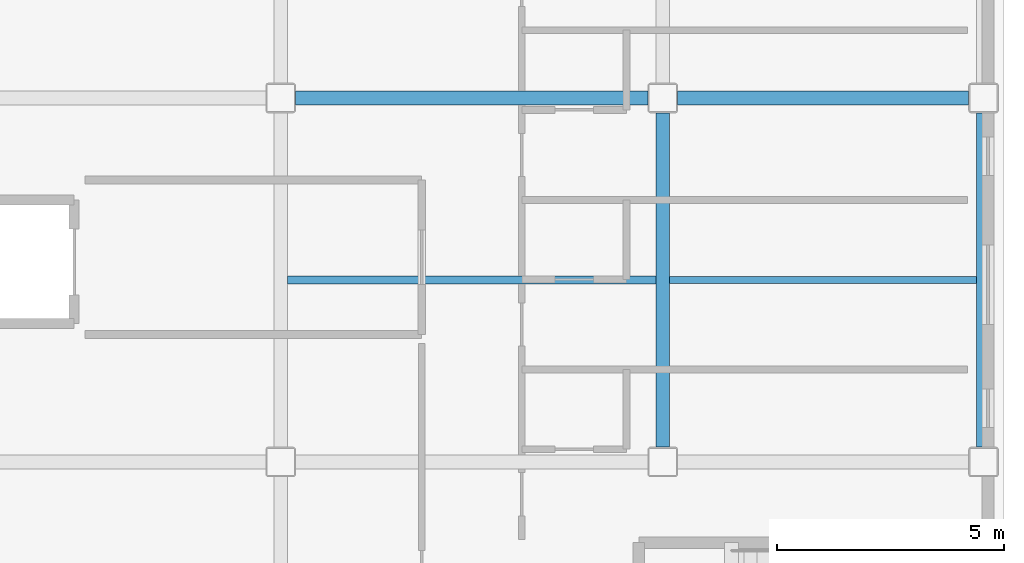
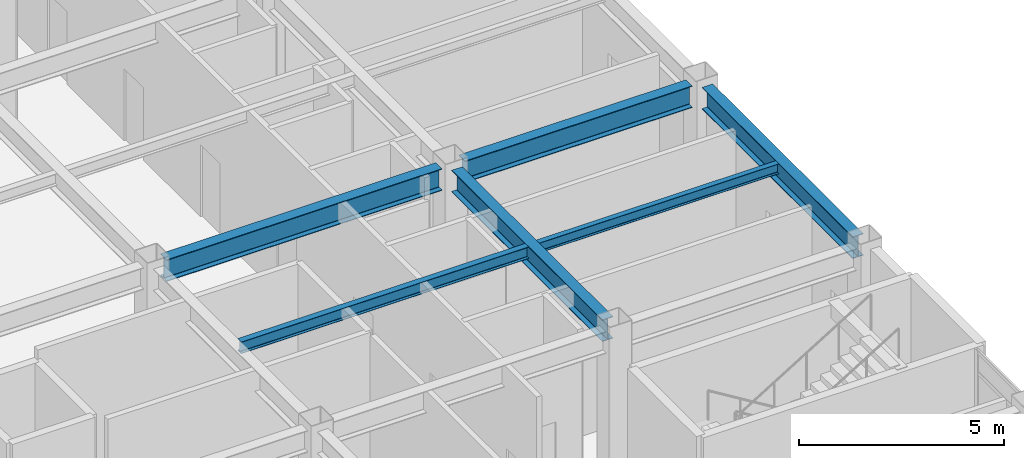
# One storey, part 24 of 61: 6 beams.
"""IFC4 building model written with IfcOpenShell, lengths in metres."""

from ifc_helpers import new_model, si_unit, direction, frame, origin, origin_2d, place, context, subcontext, project, spatial, i_section, extrude, material, material_profile, profile_set, type_object, element, save


model = new_model("IFC4")

# Units and contexts
model_context = context("Model", 3, precision=1e-05, world=origin(), true_north=direction((0.0, 1.0)))
body_context = subcontext(model_context, "Body", "Model", "MODEL_VIEW")
ifc_project = project(units=[si_unit("LENGTHUNIT", "METRE"), si_unit("AREAUNIT", "SQUARE_METRE"), si_unit("VOLUMEUNIT", "CUBIC_METRE"), si_unit("PLANEANGLEUNIT", "RADIAN"), si_unit("MASSUNIT", "GRAM", prefix="KILO")], contexts=[model_context])

# Site, building, storey
site_placement = place(None, origin())
site = spatial("IfcSite", under=ifc_project, at=site_placement, CompositionType="ELEMENT")
building_placement = place(site_placement, origin())
building = spatial("IfcBuilding", under=site, at=building_placement, Name="Kazehara Bluff Congress Hotel", CompositionType="ELEMENT")
storey_placement = place(building_placement, frame((0.0, 0.0, 19.800048828125)))
storey = spatial("IfcBuildingStorey", under=building, at=storey_placement, Name="L04", CompositionType="ELEMENT", Elevation=19.800048828125)

# Beams
ifc_material_1 = material(Name="Steel SN490B", Category="steel")
ifc_material_profile_1 = material_profile(ifc_material_1, i_section(OverallWidth=0.300048828125, OverallDepth=0.64990234375, WebThickness=0.011962890625, FlangeThickness=0.02001953125, FilletRadius=0.012939453125, at=origin_2d()))
ifc_profile_set_1 = profile_set([ifc_material_profile_1], Name="Steel SN490B")
beam_type_1 = type_object("IfcBeamType", Name="TP-G-03", PredefinedType="BEAM", material=ifc_profile_set_1)
for number, where, z_axis, x_axis, name in (
    (1, (160.5, 24.324951171875, 4.2548828125), (0.0, 1.0, 0.0), (-1.0, 0.0, 0.0), "L04 girder G-03 58"),
    (2, (167.550048828125, 24.324951171875, 4.2548828125), (0.0, 1.0, 0.0), (-1.0, 0.0, 0.0), "L04 girder G-03 69"),
):
    element("IfcBeam", number, at=place(storey_placement, frame(where, z_axis=z_axis, x_axis=x_axis)), inside=storey, type_object=beam_type_1, Name=name, PredefinedType="BEAM", context=body_context, shape_type="SweptSolid", body=[
        extrude(i_section(OverallWidth=0.300048828125, OverallDepth=0.64990234375, WebThickness=0.011962890625, FlangeThickness=0.02001953125, FilletRadius=0.012939453125, at=origin_2d()), origin(), (0.0, 0.0, 1.0), 7.35009765625),
    ])
beam_1_placement = place(storey_placement, frame((152.425048828125, 32.0, 4.2548828125), z_axis=(1.0, 0.0, 0.0), x_axis=(0.0, 1.0, 0.0)))
element("IfcBeam", 3, at=beam_1_placement, inside=storey, type_object=beam_type_1, Name="L04 girder G-03 91", PredefinedType="BEAM", context=body_context, shape_type="SweptSolid", body=[
    extrude(i_section(OverallWidth=0.300048828125, OverallDepth=0.64990234375, WebThickness=0.011962890625, FlangeThickness=0.02001953125, FilletRadius=0.012939453125, at=origin_2d()), origin(), (0.0, 0.0, 1.0), 7.75),
])
beam_2_placement = place(storey_placement, frame((160.824951171875, 32.0, 4.2548828125), z_axis=(1.0, 0.0, 0.0), x_axis=(0.0, 1.0, 0.0)))
element("IfcBeam", 4, at=beam_2_placement, inside=storey, type_object=beam_type_1, Name="L04 girder G-03 92", PredefinedType="BEAM", context=body_context, shape_type="SweptSolid", body=[
    extrude(i_section(OverallWidth=0.300048828125, OverallDepth=0.64990234375, WebThickness=0.011962890625, FlangeThickness=0.02001953125, FilletRadius=0.012939453125, at=origin_2d()), origin(), (0.0, 0.0, 1.0), 6.400146484375),
])
ifc_material_2 = material(Name="Steel SN400B", Category="steel")
ifc_material_profile_2 = material_profile(ifc_material_2, i_section(OverallWidth=0.14990234375, OverallDepth=0.300048828125, WebThickness=0.006591796875, FlangeThickness=0.009033203125, FilletRadius=0.012939453125, at=origin_2d()))
ifc_profile_set_2 = profile_set([ifc_material_profile_2], Name="Steel SN400B")
beam_type_2 = type_object("IfcBeamType", Name="TP-J-01", PredefinedType="JOIST", material=ifc_profile_set_2)
beam_3_placement = place(storey_placement, frame((160.64990234375, 28.0, 4.429931640625), z_axis=(1.0, 0.0, 0.0), x_axis=(0.0, 1.0, 0.0)))
element("IfcBeam", 5, at=beam_3_placement, inside=storey, type_object=beam_type_2, Name="L04 secondary joist J-01 31", PredefinedType="JOIST", context=body_context, shape_type="SweptSolid", body=[
    extrude(i_section(OverallWidth=0.14990234375, OverallDepth=0.300048828125, WebThickness=0.006591796875, FlangeThickness=0.009033203125, FilletRadius=0.012939453125, at=origin_2d()), origin(), (0.0, 0.0, 1.0), 6.75),
])
ifc_material_3 = material(Name="Steel SN400B", Category="steel")
ifc_material_profile_3 = material_profile(ifc_material_3, i_section(OverallWidth=0.175048828125, OverallDepth=0.35009765625, WebThickness=0.007080078125, FlangeThickness=0.010986328125, FilletRadius=0.012939453125, at=origin_2d()))
ifc_profile_set_3 = profile_set([ifc_material_profile_3], Name="Steel SN400B")
beam_type_3 = type_object("IfcBeamType", Name="TP-J-02", PredefinedType="JOIST", material=ifc_profile_set_3)
beam_4_placement = place(storey_placement, frame((152.25, 28.0, 4.405029296875), z_axis=(1.0, 0.0, 0.0), x_axis=(0.0, 1.0, 0.0)))
element("IfcBeam", 6, at=beam_4_placement, inside=storey, type_object=beam_type_3, Name="L04 secondary joist J-02 23", PredefinedType="JOIST", context=body_context, shape_type="SweptSolid", body=[
    extrude(i_section(OverallWidth=0.175048828125, OverallDepth=0.35009765625, WebThickness=0.007080078125, FlangeThickness=0.010986328125, FilletRadius=0.012939453125, at=origin_2d()), origin(), (0.0, 0.0, 1.0), 8.10009765625),
])

save(model, "model.ifc")
